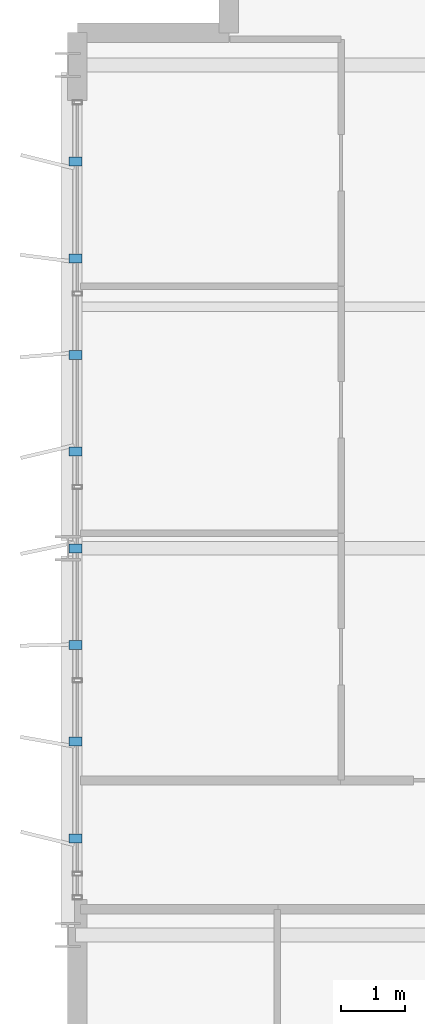
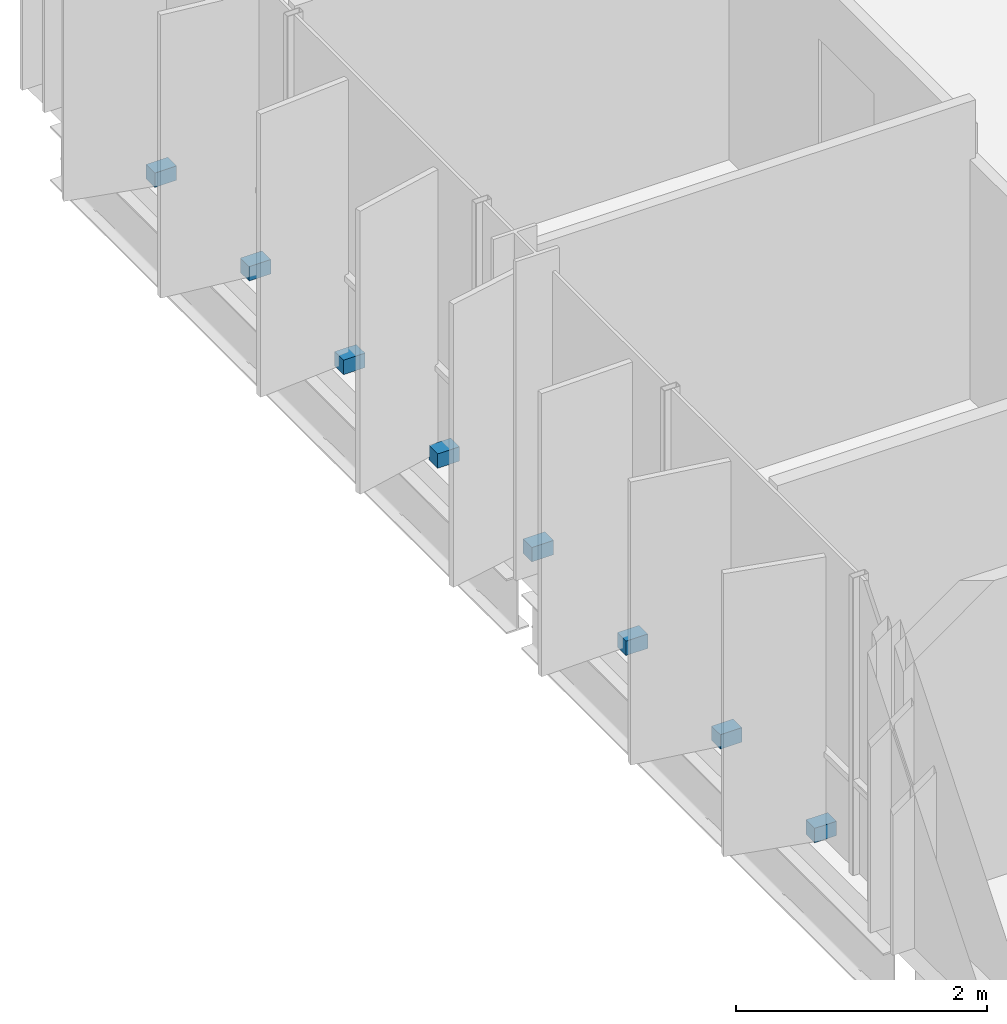
# One storey, part 25 of 28: 8 discrete accessories.
"""IFC4 building model written with IfcOpenShell, lengths in metres."""

from ifc_helpers import new_model, si_unit, direction, frame, origin, origin_2d, place, context, subcontext, project, spatial, rectangle, extrude, material, type_object, element, save


model = new_model("IFC4")

# Units and contexts
model_context = context("Model", 3, precision=1e-05, world=origin(), true_north=direction((0.0, 1.0)))
body_context = subcontext(model_context, "Body", "Model", "MODEL_VIEW")
ifc_project = project(units=[si_unit("LENGTHUNIT", "METRE"), si_unit("AREAUNIT", "SQUARE_METRE"), si_unit("VOLUMEUNIT", "CUBIC_METRE"), si_unit("PLANEANGLEUNIT", "RADIAN"), si_unit("MASSUNIT", "GRAM", prefix="KILO")], contexts=[model_context])

# Site, building, storey
site_placement = place(None, origin())
site = spatial("IfcSite", under=ifc_project, at=site_placement, CompositionType="ELEMENT")
building_placement = place(site_placement, origin())
building = spatial("IfcBuilding", under=site, at=building_placement, Name="Brevholm Reach", CompositionType="ELEMENT")
storey_placement = place(building_placement, frame((0.0, 0.0, 192.5)))
storey = spatial("IfcBuildingStorey", under=building, at=storey_placement, Name="L58", CompositionType="ELEMENT", Elevation=192.5)

# Discrete accessories
ifc_material = material(Name="Duplex Stainless Steel EN 1.4462", Category="steel")
discrete_accessory_type = type_object("IfcDiscreteAccessoryType", Name="ACC-BRK-01", PredefinedType="BRACKET", material=ifc_material)
for number, where, z_axis, x_axis, name in (
    (1, (0.1201171875, 11.5, 0.0302734375), (0.0, 0.0, 1.0), (-1.0, 0.0, 0.0), "L58 Solar Screen Support Bracket 1"),
    (2, (0.1201171875, 13.0, 0.0302734375), (0.0, 0.0, 1.0), (-1.0, 0.0, 0.0), "L58 Solar Screen Support Bracket 2"),
    (3, (0.1201171875, 14.5, 0.0302734375), (0.0, 0.0, 1.0), (-1.0, 0.0, 0.0), "L58 Solar Screen Support Bracket 3"),
    (4, (0.1201171875, 16.0, 0.0302734375), (0.0, 0.0, 1.0), (-1.0, 0.0, 0.0), "L58 Solar Screen Support Bracket 4"),
    (5, (0.1201171875, 17.5, 0.0302734375), (0.0, 0.0, 1.0), (-1.0, 0.0, 0.0), "L58 Solar Screen Support Bracket 5"),
    (6, (0.1201171875, 19.0, 0.0302734375), (0.0, 0.0, 1.0), (-1.0, 0.0, 0.0), "L58 Solar Screen Support Bracket 6"),
    (7, (0.1201171875, 20.5, 0.0302734375), (0.0, 0.0, 1.0), (-1.0, 0.0, 0.0), "L58 Solar Screen Support Bracket 7"),
    (8, (0.1201171875, 22.0, 0.0302734375), (0.0, 0.0, 1.0), (-1.0, 0.0, 0.0), "L58 Solar Screen Support Bracket 8"),
):
    element("IfcDiscreteAccessory", number, at=place(storey_placement, frame(where, z_axis=z_axis, x_axis=x_axis)), inside=storey, type_object=discrete_accessory_type, Name=name, PredefinedType="BRACKET", context=body_context, shape_type="SweptSolid", body=[
        extrude(rectangle(XDim=0.199951171875, YDim=0.139892578125, at=origin_2d()), origin(), (0.0, 0.0, 1.0), 0.139892578125),
    ])

save(model, "model.ifc")
